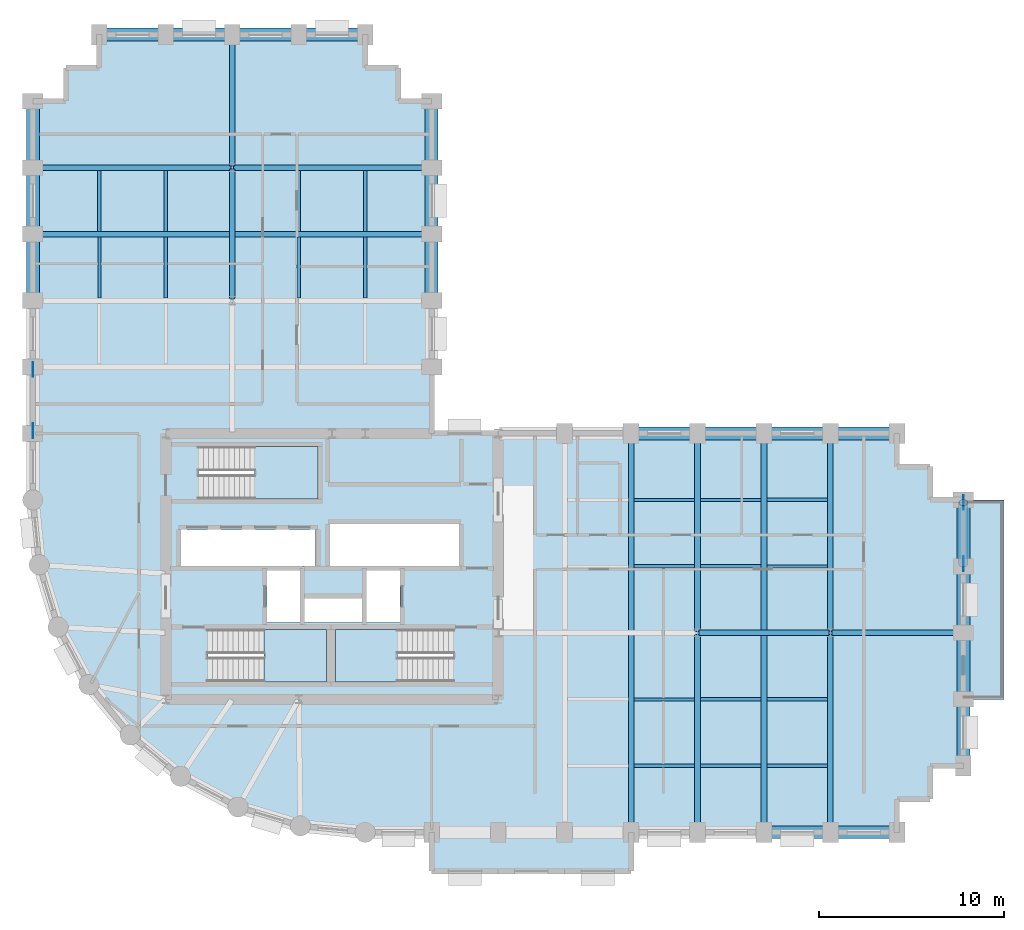
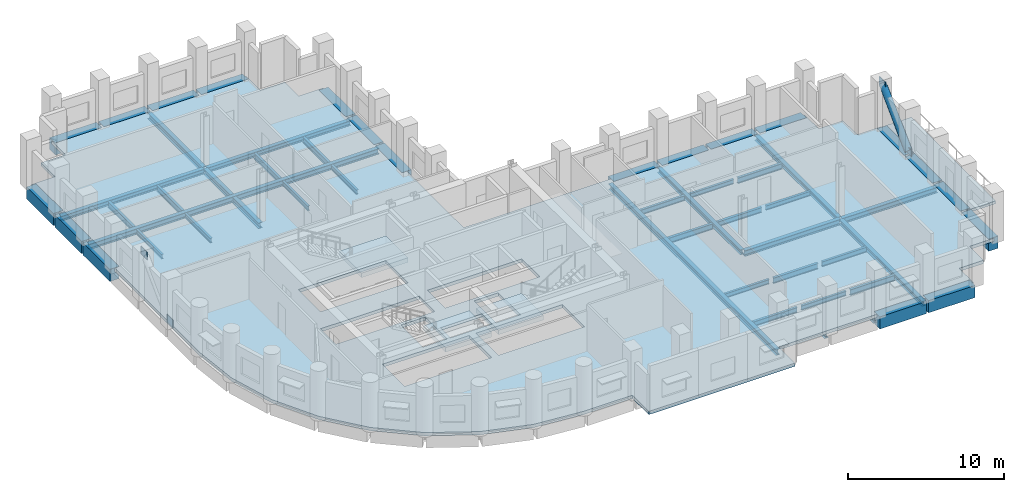
# One storey, part 2 of 10: 53 beams, 5 slabs, 4 plates, 1 member, 3 elements without a shape of their own.
"""IFC4 building model written with IfcOpenShell, lengths in metres."""

from ifc_helpers import new_model, si_unit, direction, frame, origin, origin_2d, place, context, subcontext, project, spatial, polyline, rectangle, hollow_circle, i_section, outline, extrude, material, layer, layer_set, material_profile, profile_set, type_object, element, aggregate, save


model = new_model("IFC4")

# Units and contexts
model_context = context("Model", 3, precision=1e-05, world=origin(), true_north=direction((0.0, 1.0)))
body_context = subcontext(model_context, "Body", "Model", "MODEL_VIEW")
ifc_project = project(units=[si_unit("LENGTHUNIT", "METRE"), si_unit("AREAUNIT", "SQUARE_METRE"), si_unit("VOLUMEUNIT", "CUBIC_METRE"), si_unit("PLANEANGLEUNIT", "RADIAN"), si_unit("MASSUNIT", "GRAM", prefix="KILO")], contexts=[model_context])

# Site, building, storey
site_placement = place(None, origin())
site = spatial("IfcSite", under=ifc_project, at=site_placement, CompositionType="ELEMENT")
building_placement = place(site_placement, origin())
building = spatial("IfcBuilding", under=site, at=building_placement, Name="Solnavia Interchange Tower", CompositionType="ELEMENT")
storey_placement = place(building_placement, frame((0.0, 0.0, 103.5)))
storey = spatial("IfcBuildingStorey", under=building, at=storey_placement, Name="L25", CompositionType="ELEMENT", Elevation=103.5)

# Beams
ifc_material_1 = material(Name="Steel S460", Category="steel")
ifc_material_profile_1 = material_profile(ifc_material_1, i_section(OverallWidth=0.300048828125, OverallDepth=0.449951171875, WebThickness=0.013916015625, FlangeThickness=0.02587890625, FilletRadius=0.027099609375, at=origin_2d()), Name="HEB 450")
ifc_profile_set_1 = profile_set([ifc_material_profile_1], Name="Steel S460")
beam_type_1 = type_object("IfcBeamType", Name="Beam-Girder-HEB450", PredefinedType="BEAM", material=ifc_profile_set_1)
for number, where, z_axis, x_axis, name in (
    (1, (43.280029296875, 14.39990234375, -0.47509765625), (1.0, 0.0, 0.0), (0.0, 1.0, 0.0), "GRD-L25-ES02 East wing spine girder"),
    (2, (50.47998046875, 14.39990234375, -0.47509765625), (1.0, 0.0, 0.0), (0.0, 1.0, 0.0), "GRD-L25-ES03 East wing spine girder"),
    (3, (18.0, 32.47998046875, -0.47509765625), (0.0, 1.0, 0.0), (-1.0, 0.0, 0.0), "GRD-L25-NS12 North wing spine girder"),
    (4, (18.0, 39.679931640625, -0.47509765625), (0.0, 1.0, 0.0), (-1.0, 0.0, 0.0), "GRD-L25-NS13 North wing spine girder"),
):
    element("IfcBeam", number, at=place(storey_placement, frame(where, z_axis=z_axis, x_axis=x_axis)), inside=storey, type_object=beam_type_1, Name=name, PredefinedType="BEAM", context=body_context, shape_type="SweptSolid", body=[
        extrude(i_section(OverallWidth=0.300048828125, OverallDepth=0.449951171875, WebThickness=0.013916015625, FlangeThickness=0.02587890625, FilletRadius=0.027099609375, at=origin_2d()), origin(), (0.0, 0.0, 1.0), 7.0400390625),
    ])
ifc_material_2 = material(Name="Steel S355", Category="steel")
ifc_material_profile_2 = material_profile(ifc_material_2, i_section(OverallWidth=0.169921875, OverallDepth=0.360107421875, WebThickness=0.008056640625, FlangeThickness=0.0126953125, FilletRadius=0.01806640625, at=origin_2d()), Name="IPE 360")
ifc_profile_set_2 = profile_set([ifc_material_profile_2], Name="Steel S355")
beam_type_2 = type_object("IfcBeamType", Name="Beam-Joist-IPE360", PredefinedType="JOIST", material=ifc_profile_set_2)
beam_1_placement = place(storey_placement, frame((43.35009765625, 7.199951171875, -0.429931640625), z_axis=(1.0, 0.0, 0.0), x_axis=(0.0, 1.0, 0.0)))
element("IfcBeam", 5, at=beam_1_placement, inside=storey, type_object=beam_type_2, Name="JST-L25-E03 East wing secondary joist", PredefinedType="JOIST", context=body_context, shape_type="SweptSolid", body=[
    extrude(i_section(OverallWidth=0.169921875, OverallDepth=0.360107421875, WebThickness=0.008056640625, FlangeThickness=0.0126953125, FilletRadius=0.01806640625, at=origin_2d()), origin(), (0.0, 0.0, 1.0), 3.2998046875),
])
for number, where, z_axis, x_axis, name in (
    (6, (39.75, 10.800048828125, -0.429931640625), (1.0, 0.0, 0.0), (0.0, 1.0, 0.0), "JST-L25-E06 East wing secondary joist"),
    (7, (46.949951171875, 18.0, -0.429931640625), (1.0, 0.0, 0.0), (0.0, 1.0, 0.0), "JST-L25-E12 East wing secondary joist"),
):
    element("IfcBeam", number, at=place(storey_placement, frame(where, z_axis=z_axis, x_axis=x_axis)), inside=storey, type_object=beam_type_2, Name=name, PredefinedType="JOIST", context=body_context, shape_type="SweptSolid", body=[
        extrude(i_section(OverallWidth=0.169921875, OverallDepth=0.360107421875, WebThickness=0.008056640625, FlangeThickness=0.0126953125, FilletRadius=0.01806640625, at=origin_2d()), origin(), (0.0, 0.0, 1.0), 3.300048828125),
    ])
beam_2_placement = place(storey_placement, frame((43.35009765625, 21.60009765625, -0.429931640625), z_axis=(1.0, 0.0, 0.0), x_axis=(0.0, 1.0, 0.0)))
element("IfcBeam", 8, at=beam_2_placement, inside=storey, type_object=beam_type_2, Name="JST-L25-E15 East wing secondary joist", PredefinedType="JOIST", context=body_context, shape_type="SweptSolid", body=[
    extrude(i_section(OverallWidth=0.169921875, OverallDepth=0.360107421875, WebThickness=0.008056640625, FlangeThickness=0.0126953125, FilletRadius=0.01806640625, at=origin_2d()), origin(), (0.0, 0.0, 1.0), 3.2998046875),
])
for number, where, z_axis, x_axis, name in (
    (9, (10.800048828125, 32.550048828125, -0.429931640625), (0.0, 1.0, 0.0), (-1.0, 0.0, 0.0), "JST-L25-N18 North wing secondary joist"),
    (10, (14.39990234375, 32.550048828125, -0.429931640625), (0.0, 1.0, 0.0), (-1.0, 0.0, 0.0), "JST-L25-N21 North wing secondary joist"),
    (11, (21.60009765625, 32.550048828125, -0.429931640625), (0.0, 1.0, 0.0), (-1.0, 0.0, 0.0), "JST-L25-N24 North wing secondary joist"),
    (12, (25.199951171875, 32.550048828125, -0.429931640625), (0.0, 1.0, 0.0), (-1.0, 0.0, 0.0), "JST-L25-N27 North wing secondary joist"),
):
    element("IfcBeam", number, at=place(storey_placement, frame(where, z_axis=z_axis, x_axis=x_axis)), inside=storey, type_object=beam_type_2, Name=name, PredefinedType="JOIST", context=body_context, shape_type="SweptSolid", body=[
        extrude(i_section(OverallWidth=0.169921875, OverallDepth=0.360107421875, WebThickness=0.008056640625, FlangeThickness=0.0126953125, FilletRadius=0.01806640625, at=origin_2d()), origin(), (0.0, 0.0, 1.0), 3.300048828125),
    ])
ifc_material_profile_3 = material_profile(ifc_material_2, i_section(OverallWidth=0.179931640625, OverallDepth=0.39990234375, WebThickness=0.008544921875, FlangeThickness=0.013427734375, FilletRadius=0.02099609375, at=origin_2d()), Name="IPE 400")
ifc_profile_set_3 = profile_set([ifc_material_profile_3], Name="Steel S355")
beam_type_3 = type_object("IfcBeamType", Name="Beam-Joist-IPE400", PredefinedType="JOIST", material=ifc_profile_set_3)
for number, where, z_axis, x_axis, name in (
    (13, (39.75, 7.199951171875, -0.449951171875), (1.0, 0.0, 0.0), (0.0, 1.0, 0.0), "JST-L25-E02 East wing secondary joist"),
    (14, (46.949951171875, 10.800048828125, -0.449951171875), (1.0, 0.0, 0.0), (0.0, 1.0, 0.0), "JST-L25-E08 East wing secondary joist"),
):
    element("IfcBeam", number, at=place(storey_placement, frame(where, z_axis=z_axis, x_axis=x_axis)), inside=storey, type_object=beam_type_3, Name=name, PredefinedType="JOIST", context=body_context, shape_type="SweptSolid", body=[
        extrude(i_section(OverallWidth=0.179931640625, OverallDepth=0.39990234375, WebThickness=0.008544921875, FlangeThickness=0.013427734375, FilletRadius=0.02099609375, at=origin_2d()), origin(), (0.0, 0.0, 1.0), 3.300048828125),
    ])
beam_3_placement = place(storey_placement, frame((43.35009765625, 18.0, -0.449951171875), z_axis=(1.0, 0.0, 0.0), x_axis=(0.0, 1.0, 0.0)))
element("IfcBeam", 15, at=beam_3_placement, inside=storey, type_object=beam_type_3, Name="JST-L25-E11 East wing secondary joist", PredefinedType="JOIST", context=body_context, shape_type="SweptSolid", body=[
    extrude(i_section(OverallWidth=0.179931640625, OverallDepth=0.39990234375, WebThickness=0.008544921875, FlangeThickness=0.013427734375, FilletRadius=0.02099609375, at=origin_2d()), origin(), (0.0, 0.0, 1.0), 3.2998046875),
])
beam_4_placement = place(storey_placement, frame((39.75, 21.60009765625, -0.449951171875), z_axis=(1.0, 0.0, 0.0), x_axis=(0.0, 1.0, 0.0)))
element("IfcBeam", 16, at=beam_4_placement, inside=storey, type_object=beam_type_3, Name="JST-L25-E14 East wing secondary joist", PredefinedType="JOIST", context=body_context, shape_type="SweptSolid", body=[
    extrude(i_section(OverallWidth=0.179931640625, OverallDepth=0.39990234375, WebThickness=0.008544921875, FlangeThickness=0.013427734375, FilletRadius=0.02099609375, at=origin_2d()), origin(), (0.0, 0.0, 1.0), 3.300048828125),
])
ifc_material_profile_4 = material_profile(ifc_material_2, i_section(OverallWidth=0.18994140625, OverallDepth=0.449951171875, WebThickness=0.009521484375, FlangeThickness=0.0146484375, FilletRadius=0.02099609375, at=origin_2d()), Name="IPE 450")
ifc_profile_set_4 = profile_set([ifc_material_profile_4], Name="Steel S355")
beam_type_4 = type_object("IfcBeamType", Name="Beam-Joist-IPE450", PredefinedType="JOIST", material=ifc_profile_set_4)
beam_5_placement = place(storey_placement, frame((46.949951171875, 7.199951171875, -0.47509765625), z_axis=(1.0, 0.0, 0.0), x_axis=(0.0, 1.0, 0.0)))
element("IfcBeam", 17, at=beam_5_placement, inside=storey, type_object=beam_type_4, Name="JST-L25-E04 East wing secondary joist", PredefinedType="JOIST", context=body_context, shape_type="SweptSolid", body=[
    extrude(i_section(OverallWidth=0.18994140625, OverallDepth=0.449951171875, WebThickness=0.009521484375, FlangeThickness=0.0146484375, FilletRadius=0.02099609375, at=origin_2d()), origin(), (0.0, 0.0, 1.0), 3.300048828125),
])
beam_6_placement = place(storey_placement, frame((43.35009765625, 10.800048828125, -0.47509765625), z_axis=(1.0, 0.0, 0.0), x_axis=(0.0, 1.0, 0.0)))
element("IfcBeam", 18, at=beam_6_placement, inside=storey, type_object=beam_type_4, Name="JST-L25-E07 East wing secondary joist", PredefinedType="JOIST", context=body_context, shape_type="SweptSolid", body=[
    extrude(i_section(OverallWidth=0.18994140625, OverallDepth=0.449951171875, WebThickness=0.009521484375, FlangeThickness=0.0146484375, FilletRadius=0.02099609375, at=origin_2d()), origin(), (0.0, 0.0, 1.0), 3.2998046875),
])
for number, where, z_axis, x_axis, name in (
    (19, (39.75, 18.0, -0.47509765625), (1.0, 0.0, 0.0), (0.0, 1.0, 0.0), "JST-L25-E10 East wing secondary joist"),
    (20, (46.949951171875, 21.60009765625, -0.47509765625), (1.0, 0.0, 0.0), (0.0, 1.0, 0.0), "JST-L25-E16 East wing secondary joist"),
    (21, (10.800048828125, 36.14990234375, -0.47509765625), (0.0, 1.0, 0.0), (-1.0, 0.0, 0.0), "JST-L25-N19 North wing secondary joist"),
    (22, (14.39990234375, 36.14990234375, -0.47509765625), (0.0, 1.0, 0.0), (-1.0, 0.0, 0.0), "JST-L25-N22 North wing secondary joist"),
    (23, (21.60009765625, 36.14990234375, -0.47509765625), (0.0, 1.0, 0.0), (-1.0, 0.0, 0.0), "JST-L25-N25 North wing secondary joist"),
    (24, (25.199951171875, 36.14990234375, -0.47509765625), (0.0, 1.0, 0.0), (-1.0, 0.0, 0.0), "JST-L25-N28 North wing secondary joist"),
):
    element("IfcBeam", number, at=place(storey_placement, frame(where, z_axis=z_axis, x_axis=x_axis)), inside=storey, type_object=beam_type_4, Name=name, PredefinedType="JOIST", context=body_context, shape_type="SweptSolid", body=[
        extrude(i_section(OverallWidth=0.18994140625, OverallDepth=0.449951171875, WebThickness=0.009521484375, FlangeThickness=0.0146484375, FilletRadius=0.02099609375, at=origin_2d()), origin(), (0.0, 0.0, 1.0), 3.300048828125),
    ])
ifc_material_profile_5 = material_profile(ifc_material_2, i_section(OverallWidth=0.300048828125, OverallDepth=0.389892578125, WebThickness=0.010986328125, FlangeThickness=0.01904296875, FilletRadius=0.027099609375, at=origin_2d()), Name="HEA 400")
ifc_profile_set_5 = profile_set([ifc_material_profile_5], Name="Steel S355")
beam_type_5 = type_object("IfcBeamType", Name="Beam-Primary-HEA400", PredefinedType="BEAM", material=ifc_profile_set_5)
for number, where, z_axis, x_axis, name in (
    (25, (43.199951171875, 3.679931640625, -0.445068359375), (0.0, 1.0, 0.0), (-1.0, 0.0, 0.0), "GRD-L25-EW06 East wing primary floor girder"),
    (26, (43.199951171875, 14.47998046875, -0.445068359375), (0.0, 1.0, 0.0), (-1.0, 0.0, 0.0), "GRD-L25-EW07 East wing primary floor girder"),
    (27, (50.39990234375, 3.679931640625, -0.445068359375), (0.0, 1.0, 0.0), (-1.0, 0.0, 0.0), "GRD-L25-EW09 East wing primary floor girder"),
    (28, (50.39990234375, 14.47998046875, -0.445068359375), (0.0, 1.0, 0.0), (-1.0, 0.0, 0.0), "GRD-L25-EW10 East wing primary floor girder"),
):
    element("IfcBeam", number, at=place(storey_placement, frame(where, z_axis=z_axis, x_axis=x_axis)), inside=storey, type_object=beam_type_5, Name=name, PredefinedType="BEAM", context=body_context, shape_type="SweptSolid", body=[
        extrude(i_section(OverallWidth=0.300048828125, OverallDepth=0.389892578125, WebThickness=0.010986328125, FlangeThickness=0.01904296875, FilletRadius=0.027099609375, at=origin_2d()), origin(), (0.0, 0.0, 1.0), 10.64013671875),
    ])
for number, where, z_axis, x_axis, name in (
    (29, (7.280029296875, 39.60009765625, -0.445068359375), (1.0, 0.0, 0.0), (0.0, 1.0, 0.0), "GRD-L25-NW18 North wing primary floor girder"),
    (30, (18.080078125, 39.60009765625, -0.445068359375), (1.0, 0.0, 0.0), (0.0, 1.0, 0.0), "GRD-L25-NW19 North wing primary floor girder"),
):
    element("IfcBeam", number, at=place(storey_placement, frame(where, z_axis=z_axis, x_axis=x_axis)), inside=storey, type_object=beam_type_5, Name=name, PredefinedType="BEAM", context=body_context, shape_type="SweptSolid", body=[
        extrude(i_section(OverallWidth=0.300048828125, OverallDepth=0.389892578125, WebThickness=0.010986328125, FlangeThickness=0.01904296875, FilletRadius=0.027099609375, at=origin_2d()), origin(), (0.0, 0.0, 1.0), 10.639892578125),
    ])
ifc_material_profile_6 = material_profile(ifc_material_2, i_section(OverallWidth=0.300048828125, OverallDepth=0.43994140625, WebThickness=0.011474609375, FlangeThickness=0.02099609375, FilletRadius=0.027099609375, at=origin_2d()), Name="HEA 450")
ifc_profile_set_6 = profile_set([ifc_material_profile_6], Name="Steel S355")
beam_type_6 = type_object("IfcBeamType", Name="Beam-Primary-HEA450", PredefinedType="BEAM", material=ifc_profile_set_6)
for number, where, z_axis, x_axis, name in (
    (31, (39.60009765625, 3.679931640625, -0.469970703125), (0.0, 1.0, 0.0), (-1.0, 0.0, 0.0), "GRD-L25-EW05 East wing primary floor girder"),
    (32, (46.800048828125, 3.679931640625, -0.469970703125), (0.0, 1.0, 0.0), (-1.0, 0.0, 0.0), "GRD-L25-EW08 East wing primary floor girder"),
):
    element("IfcBeam", number, at=place(storey_placement, frame(where, z_axis=z_axis, x_axis=x_axis)), inside=storey, type_object=beam_type_6, Name=name, PredefinedType="BEAM", context=body_context, shape_type="SweptSolid", body=[
        extrude(i_section(OverallWidth=0.300048828125, OverallDepth=0.43994140625, WebThickness=0.011474609375, FlangeThickness=0.02099609375, FilletRadius=0.027099609375, at=origin_2d()), origin(), (0.0, 0.0, 1.0), 21.440185546875),
    ])
beam_7_placement = place(storey_placement, frame((7.280029296875, 36.0, -0.469970703125), z_axis=(1.0, 0.0, 0.0), x_axis=(0.0, 1.0, 0.0)))
element("IfcBeam", 33, at=beam_7_placement, inside=storey, type_object=beam_type_6, Name="GRD-L25-NW17 North wing primary floor girder", PredefinedType="BEAM", context=body_context, shape_type="SweptSolid", body=[
    extrude(i_section(OverallWidth=0.300048828125, OverallDepth=0.43994140625, WebThickness=0.011474609375, FlangeThickness=0.02099609375, FilletRadius=0.027099609375, at=origin_2d()), origin(), (0.0, 0.0, 1.0), 21.43994140625),
])
ifc_material_3 = material(Name="Concrete C50/60", Category="concrete")
ifc_material_profile_7 = material_profile(ifc_material_3, rectangle(XDim=0.699951171875, YDim=0.949951171875, at=origin_2d()), Name="RC 700x950")
ifc_profile_set_7 = profile_set([ifc_material_profile_7], Name="Concrete C50/60")
beam_type_7 = type_object("IfcBeamType", Name="Beam-Spandrel-RC700x950", PredefinedType="SPANDREL", material=ifc_profile_set_7)
beam_8_placement = place(storey_placement, frame((46.8798828125, 3.60009765625, -0.47509765625), z_axis=(1.0, 0.0, 0.0), x_axis=(0.0, 1.0, 0.0)))
element("IfcBeam", 34, at=beam_8_placement, inside=storey, type_object=beam_type_7, Name="SPB-L25-15 Framed-tube perimeter spandrel beam", PredefinedType="SPANDREL", context=body_context, shape_type="SweptSolid", body=[
    extrude(rectangle(XDim=0.699951171875, YDim=0.949951171875, at=origin_2d()), origin(), (0.0, 0.0, 1.0), 3.440185546875),
])
for number, where, z_axis, x_axis, name in (
    (35, (50.47998046875, 3.60009765625, -0.47509765625), (1.0, 0.0, 0.0), (0.0, 1.0, 0.0), "SPB-L25-16 Framed-tube perimeter spandrel beam"),
    (36, (57.60009765625, 7.280029296875, -0.47509765625), (0.0, 1.0, 0.0), (-1.0, 0.0, 0.0), "SPB-L25-17 Framed-tube perimeter spandrel beam"),
):
    element("IfcBeam", number, at=place(storey_placement, frame(where, z_axis=z_axis, x_axis=x_axis)), inside=storey, type_object=beam_type_7, Name=name, PredefinedType="SPANDREL", context=body_context, shape_type="SweptSolid", body=[
        extrude(rectangle(XDim=0.699951171875, YDim=0.949951171875, at=origin_2d()), origin(), (0.0, 0.0, 1.0), 3.43994140625),
    ])
beam_9_placement = place(storey_placement, frame((57.60009765625, 10.8798828125, -0.47509765625), z_axis=(0.0, 1.0, 0.0), x_axis=(-1.0, 0.0, 0.0)))
element("IfcBeam", 37, at=beam_9_placement, inside=storey, type_object=beam_type_7, Name="SPB-L25-18 Framed-tube perimeter spandrel beam", PredefinedType="SPANDREL", context=body_context, shape_type="SweptSolid", body=[
    extrude(rectangle(XDim=0.699951171875, YDim=0.949951171875, at=origin_2d()), origin(), (0.0, 0.0, 1.0), 3.440185546875),
])
for number, where, z_axis, x_axis, name in (
    (38, (57.60009765625, 14.47998046875, -0.47509765625), (0.0, 1.0, 0.0), (-1.0, 0.0, 0.0), "SPB-L25-19 Framed-tube perimeter spandrel beam"),
    (39, (57.60009765625, 18.080078125, -0.47509765625), (0.0, 1.0, 0.0), (-1.0, 0.0, 0.0), "SPB-L25-20 Framed-tube perimeter spandrel beam"),
    (40, (53.919921875, 25.199951171875, -0.47509765625), (-1.0, 0.0, 0.0), (0.0, -1.0, 0.0), "SPB-L25-21 Framed-tube perimeter spandrel beam"),
):
    element("IfcBeam", number, at=place(storey_placement, frame(where, z_axis=z_axis, x_axis=x_axis)), inside=storey, type_object=beam_type_7, Name=name, PredefinedType="SPANDREL", context=body_context, shape_type="SweptSolid", body=[
        extrude(rectangle(XDim=0.699951171875, YDim=0.949951171875, at=origin_2d()), origin(), (0.0, 0.0, 1.0), 3.43994140625),
    ])
beam_10_placement = place(storey_placement, frame((50.320068359375, 25.199951171875, -0.47509765625), z_axis=(-1.0, 0.0, 0.0), x_axis=(0.0, -1.0, 0.0)))
element("IfcBeam", 41, at=beam_10_placement, inside=storey, type_object=beam_type_7, Name="SPB-L25-22 Framed-tube perimeter spandrel beam", PredefinedType="SPANDREL", context=body_context, shape_type="SweptSolid", body=[
    extrude(rectangle(XDim=0.699951171875, YDim=0.949951171875, at=origin_2d()), origin(), (0.0, 0.0, 1.0), 3.440185546875),
])
beam_11_placement = place(storey_placement, frame((46.719970703125, 25.199951171875, -0.47509765625), z_axis=(-1.0, 0.0, 0.0), x_axis=(0.0, -1.0, 0.0)))
element("IfcBeam", 42, at=beam_11_placement, inside=storey, type_object=beam_type_7, Name="SPB-L25-23 Framed-tube perimeter spandrel beam", PredefinedType="SPANDREL", context=body_context, shape_type="SweptSolid", body=[
    extrude(rectangle(XDim=0.699951171875, YDim=0.949951171875, at=origin_2d()), origin(), (0.0, 0.0, 1.0), 3.43994140625),
])
beam_12_placement = place(storey_placement, frame((43.1201171875, 25.199951171875, -0.47509765625), z_axis=(-1.0, 0.0, 0.0), x_axis=(0.0, -1.0, 0.0)))
element("IfcBeam", 43, at=beam_12_placement, inside=storey, type_object=beam_type_7, Name="SPB-L25-24 Framed-tube perimeter spandrel beam", PredefinedType="SPANDREL", context=body_context, shape_type="SweptSolid", body=[
    extrude(rectangle(XDim=0.699951171875, YDim=0.949951171875, at=origin_2d()), origin(), (0.0, 0.0, 1.0), 3.440185546875),
])
for number, where, z_axis, x_axis, name in (
    (44, (28.800048828125, 32.47998046875, -0.47509765625), (0.0, 1.0, 0.0), (-1.0, 0.0, 0.0), "SPB-L25-28 Framed-tube perimeter spandrel beam"),
    (45, (28.800048828125, 36.080078125, -0.47509765625), (0.0, 1.0, 0.0), (-1.0, 0.0, 0.0), "SPB-L25-29 Framed-tube perimeter spandrel beam"),
):
    element("IfcBeam", number, at=place(storey_placement, frame(where, z_axis=z_axis, x_axis=x_axis)), inside=storey, type_object=beam_type_7, Name=name, PredefinedType="SPANDREL", context=body_context, shape_type="SweptSolid", body=[
        extrude(rectangle(XDim=0.699951171875, YDim=0.949951171875, at=origin_2d()), origin(), (0.0, 0.0, 1.0), 3.43994140625),
    ])
for number, where, z_axis, x_axis, name in (
    (46, (28.800048828125, 39.679931640625, -0.47509765625), (0.0, 1.0, 0.0), (-1.0, 0.0, 0.0), "SPB-L25-30 Framed-tube perimeter spandrel beam"),
    (47, (25.1201171875, 46.800048828125, -0.47509765625), (-1.0, 0.0, 0.0), (0.0, -1.0, 0.0), "SPB-L25-31 Framed-tube perimeter spandrel beam"),
):
    element("IfcBeam", number, at=place(storey_placement, frame(where, z_axis=z_axis, x_axis=x_axis)), inside=storey, type_object=beam_type_7, Name=name, PredefinedType="SPANDREL", context=body_context, shape_type="SweptSolid", body=[
        extrude(rectangle(XDim=0.699951171875, YDim=0.949951171875, at=origin_2d()), origin(), (0.0, 0.0, 1.0), 3.440185546875),
    ])
for number, where, z_axis, x_axis, name in (
    (48, (21.52001953125, 46.800048828125, -0.47509765625), (-1.0, 0.0, 0.0), (0.0, -1.0, 0.0), "SPB-L25-32 Framed-tube perimeter spandrel beam"),
    (49, (17.919921875, 46.800048828125, -0.47509765625), (-1.0, 0.0, 0.0), (0.0, -1.0, 0.0), "SPB-L25-33 Framed-tube perimeter spandrel beam"),
):
    element("IfcBeam", number, at=place(storey_placement, frame(where, z_axis=z_axis, x_axis=x_axis)), inside=storey, type_object=beam_type_7, Name=name, PredefinedType="SPANDREL", context=body_context, shape_type="SweptSolid", body=[
        extrude(rectangle(XDim=0.699951171875, YDim=0.949951171875, at=origin_2d()), origin(), (0.0, 0.0, 1.0), 3.43994140625),
    ])
for number, where, z_axis, x_axis, name in (
    (50, (14.320068359375, 46.800048828125, -0.47509765625), (-1.0, 0.0, 0.0), (0.0, -1.0, 0.0), "SPB-L25-34 Framed-tube perimeter spandrel beam"),
    (51, (7.199951171875, 43.1201171875, -0.47509765625), (0.0, -1.0, 0.0), (1.0, 0.0, 0.0), "SPB-L25-35 Framed-tube perimeter spandrel beam"),
):
    element("IfcBeam", number, at=place(storey_placement, frame(where, z_axis=z_axis, x_axis=x_axis)), inside=storey, type_object=beam_type_7, Name=name, PredefinedType="SPANDREL", context=body_context, shape_type="SweptSolid", body=[
        extrude(rectangle(XDim=0.699951171875, YDim=0.949951171875, at=origin_2d()), origin(), (0.0, 0.0, 1.0), 3.440185546875),
    ])
for number, where, z_axis, x_axis, name in (
    (52, (7.199951171875, 39.52001953125, -0.47509765625), (0.0, -1.0, 0.0), (1.0, 0.0, 0.0), "SPB-L25-36 Framed-tube perimeter spandrel beam"),
    (53, (7.199951171875, 35.919921875, -0.47509765625), (0.0, -1.0, 0.0), (1.0, 0.0, 0.0), "SPB-L25-37 Framed-tube perimeter spandrel beam"),
):
    element("IfcBeam", number, at=place(storey_placement, frame(where, z_axis=z_axis, x_axis=x_axis)), inside=storey, type_object=beam_type_7, Name=name, PredefinedType="SPANDREL", context=body_context, shape_type="SweptSolid", body=[
        extrude(rectangle(XDim=0.699951171875, YDim=0.949951171875, at=origin_2d()), origin(), (0.0, 0.0, 1.0), 3.43994140625),
    ])

# Member
ifc_material_profile_8 = material_profile(ifc_material_1, hollow_circle(Radius=0.25390625, WallThickness=0.02490234375, at=origin_2d()), Name="CHS 508x25")
ifc_profile_set_8 = profile_set([ifc_material_profile_8], Name="Steel S460")
member_type = type_object("IfcMemberType", Name="Brace-Perim-CHS508", PredefinedType="BRACE", material=ifc_profile_set_8)
member_placement = place(storey_placement, frame((57.60009765625, 18.139892578125, 0.179931640625), z_axis=(0.0, 0.710311792477, 0.703887176661), x_axis=(-1.0, 0.0, 0.0)))
element("IfcMember", 54, at=member_placement, inside=storey, type_object=member_type, Name="BRC-L25-02 Perimeter tube diagonal brace", PredefinedType="BRACE", context=body_context, shape_type="SweptSolid", body=[
    extrude(hollow_circle(Radius=0.25390625, WallThickness=0.02490234375, at=origin_2d()), origin(), (0.0, 0.0, 1.0), 4.674072265625),
])

# Plates
ifc_layer_1 = layer(ifc_material_1, 0.035888671875)
ifc_layer_set_1 = layer_set([ifc_layer_1], Name="Steel S460")
plate_type = type_object("IfcPlateType", Name="Plate-Gusset-800x600x36", PredefinedType="USERDEFINED", material=ifc_layer_set_1)
for number, where, z_axis, x_axis, name in (
    (55, (7.199951171875, 25.340087890625, -0.1201171875), (0.0, 0.0, 1.0), (0.0, 1.0, 0.0), "PLT-L25-GP01 Perimeter brace gusset plate"),
    (56, (7.199951171875, 28.659912109375, 3.169921875), (0.0, 0.0, 1.0), (0.0, 1.0, 0.0), "PLT-L25-GP02 Perimeter brace gusset plate"),
    (57, (57.60009765625, 18.139892578125, -0.1201171875), (0.0, 0.0, 1.0), (0.0, 1.0, 0.0), "PLT-L25-GP03 Perimeter brace gusset plate"),
    (58, (57.60009765625, 21.4599609375, 3.169921875), (0.0, 0.0, 1.0), (0.0, 1.0, 0.0), "PLT-L25-GP04 Perimeter brace gusset plate"),
):
    element("IfcPlate", number, at=place(storey_placement, frame(where, z_axis=z_axis, x_axis=x_axis)), inside=storey, type_object=plate_type, Name=name, ObjectType="GUSSET PLATE", PredefinedType="USERDEFINED", context=body_context, shape_type="SweptSolid", body=[
        extrude(rectangle(XDim=0.800048828125, YDim=0.035888671875, at=origin_2d()), origin(), (0.0, 0.0, 1.0), 0.60009765625),
    ])

# Stair, slab
ifc_material_4 = material(Name="Concrete C40/50", Category="concrete")
stair_type = type_object("IfcStairType", Name="Stair-Dogleg-RC", PredefinedType="HALF_TURN_STAIR", material=ifc_material_4)
stair_1_placement = place(storey_placement, origin())
stair_1 = element("IfcStair", 59, at=stair_1_placement, inside=storey, type_object=stair_type, Name="L25 Core exit stair 1", PredefinedType="HALF_TURN_STAIR")
ifc_layer_2 = layer(ifc_material_4, 0.35009765625)
ifc_layer_set_2 = layer_set([ifc_layer_2], Name="Concrete C40/50")
slab_type_1 = type_object("IfcSlabType", Name="Slab-StairLanding-350", PredefinedType="LANDING", material=ifc_layer_set_2)
slab_1_placement = place(storey_placement, frame((0.0, 0.0, 1.60009765625)))
slab_1 = element("IfcSlab", 60, at=slab_1_placement, type_object=slab_type_1, Name="ST-1 landing 1", PredefinedType="LANDING", context=body_context, shape_type="SweptSolid", body=[
    extrude(outline(polyline([(19.7080078125, 11.75), (23.10009765625, 11.75), (23.10009765625, 14.590087890625), (19.7080078125, 14.590087890625), (19.7080078125, 11.75)])), origin(), (0.0, 0.0, 1.0), 0.349853515625),
])
aggregate(stair_1, [slab_1])

stair_2_placement = place(storey_placement, origin())
stair_2 = element("IfcStair", 61, at=stair_2_placement, inside=storey, type_object=stair_type, Name="L25 Core exit stair 2", PredefinedType="HALF_TURN_STAIR")
slab_2_placement = place(storey_placement, frame((0.0, 0.0, 1.60009765625)))
slab_2 = element("IfcSlab", 62, at=slab_2_placement, type_object=slab_type_1, Name="ST-2 landing 1", PredefinedType="LANDING", context=body_context, shape_type="SweptSolid", body=[
    extrude(outline(polyline([(23.60009765625, 11.75), (26.94189453125, 11.75), (26.94189453125, 14.590087890625), (23.60009765625, 14.590087890625), (23.60009765625, 11.75)])), origin(), (0.0, 0.0, 1.0), 0.349853515625),
])
aggregate(stair_2, [slab_2])

stair_3_placement = place(storey_placement, origin())
stair_3 = element("IfcStair", 63, at=stair_3_placement, inside=storey, type_object=stair_type, Name="L25 Core exit stair 3", PredefinedType="HALF_TURN_STAIR")
slab_3_placement = place(storey_placement, frame((0.0, 0.0, 1.60009765625)))
slab_3 = element("IfcSlab", 64, at=slab_3_placement, type_object=slab_type_1, Name="ST-3 landing 1", PredefinedType="LANDING", context=body_context, shape_type="SweptSolid", body=[
    extrude(outline(polyline([(19.2080078125, 21.64990234375), (22.64990234375, 21.64990234375), (22.64990234375, 24.489990234375), (19.2080078125, 24.489990234375), (19.2080078125, 21.64990234375)])), origin(), (0.0, 0.0, 1.0), 0.349853515625),
])
aggregate(stair_3, [slab_3])

# Slabs
ifc_layer_3 = layer(ifc_material_4, 0.219970703125)
ifc_layer_set_3 = layer_set([ifc_layer_3], Name="Concrete C40/50")
slab_type_2 = type_object("IfcSlabType", Name="Slab-Terrace-220", PredefinedType="FLOOR", material=ifc_layer_set_3)
slab_4_placement = place(storey_placement, frame((0.0, 0.0, -0.260009765625)))
element("IfcSlab", 65, at=slab_4_placement, inside=storey, type_object=slab_type_2, Name="TER-L25-01 Outdoor spiral terrace slab", PredefinedType="FLOOR", context=body_context, shape_type="SweptSolid", body=[
    extrude(outline(polyline([(57.60009765625, 10.800048828125), (59.800048828125, 10.800048828125), (59.800048828125, 21.60009765625), (57.60009765625, 21.60009765625), (57.60009765625, 10.800048828125)])), origin(), (0.0, 0.0, 1.0), 0.219970703125),
])
ifc_layer_4 = layer(ifc_material_4, 0.25)
ifc_layer_set_4 = layer_set([ifc_layer_4], Name="Concrete C40/50")
slab_type_3 = type_object("IfcSlabType", Name="Slab-Tower-250", PredefinedType="FLOOR", material=ifc_layer_set_4)
slab_5_placement = place(storey_placement, frame((0.0, 0.0, -0.25)))
element("IfcSlab", 66, at=slab_5_placement, inside=storey, type_object=slab_type_3, Name="SLB-L25-01 Structural floor slab", PredefinedType="FLOOR", context=body_context, shape_type="SweptSolid", body=[
    extrude(outline(polyline([(25.199951171875, 3.60009765625), (28.800048828125, 3.60009765625), (28.800048828125, 1.5), (39.60009765625, 1.5), (39.60009765625, 3.60009765625), (54.0, 3.60009765625), (54.0, 5.39990234375), (55.800048828125, 5.39990234375), (55.800048828125, 7.199951171875), (57.60009765625, 7.199951171875), (57.60009765625, 21.60009765625), (55.800048828125, 21.60009765625), (55.800048828125, 23.39990234375), (54.0, 23.39990234375), (54.0, 25.199951171875), (28.800048828125, 25.199951171875), (28.800048828125, 43.199951171875), (27.0, 43.199951171875), (27.0, 45.0), (25.199951171875, 45.0), (25.199951171875, 46.800048828125), (10.800048828125, 46.800048828125), (10.800048828125, 45.0), (9.0, 45.0), (9.0, 43.199951171875), (7.199951171875, 43.199951171875), (7.199951171875, 21.60009765625), (7.5458984375, 18.087890625), (8.570068359375, 14.7119140625), (10.23388671875, 11.60009765625), (12.471923828125, 8.8720703125), (15.199951171875, 6.634033203125), (18.31201171875, 4.969970703125), (21.68798828125, 3.946044921875), (25.199951171875, 3.60009765625)]), holes=[polyline([(16.675048828125, 11.75), (23.10009765625, 11.75), (23.10009765625, 14.590087890625), (16.675048828125, 14.590087890625), (16.675048828125, 11.75)]), polyline([(23.60009765625, 11.75), (29.97509765625, 11.75), (29.97509765625, 14.590087890625), (23.60009765625, 14.590087890625), (23.60009765625, 11.75)]), polyline([(16.175048828125, 21.64990234375), (22.64990234375, 21.64990234375), (22.64990234375, 24.489990234375), (16.175048828125, 24.489990234375), (16.175048828125, 21.64990234375)]), polyline([(19.8798828125, 14.9599609375), (21.679931640625, 14.9599609375), (21.679931640625, 17.780029296875), (19.8798828125, 17.780029296875), (19.8798828125, 14.9599609375)]), polyline([(25.280029296875, 14.9599609375), (27.080078125, 14.9599609375), (27.080078125, 17.780029296875), (25.280029296875, 17.780029296875), (25.280029296875, 14.9599609375)]), polyline([(21.919921875, 14.9599609375), (25.02001953125, 14.9599609375), (25.02001953125, 16.280029296875), (21.919921875, 16.280029296875), (21.919921875, 14.9599609375)]), polyline([(15.219970703125, 18.02001953125), (22.52001953125, 18.02001953125), (22.52001953125, 20.0), (15.219970703125, 20.0), (15.219970703125, 18.02001953125)]), polyline([(23.300048828125, 18.02001953125), (30.280029296875, 18.02001953125), (30.280029296875, 20.300048828125), (23.300048828125, 20.300048828125), (23.300048828125, 18.02001953125)])]), origin(), (0.0, 0.0, 1.0), 0.25),
])

save(model, "model.ifc")
